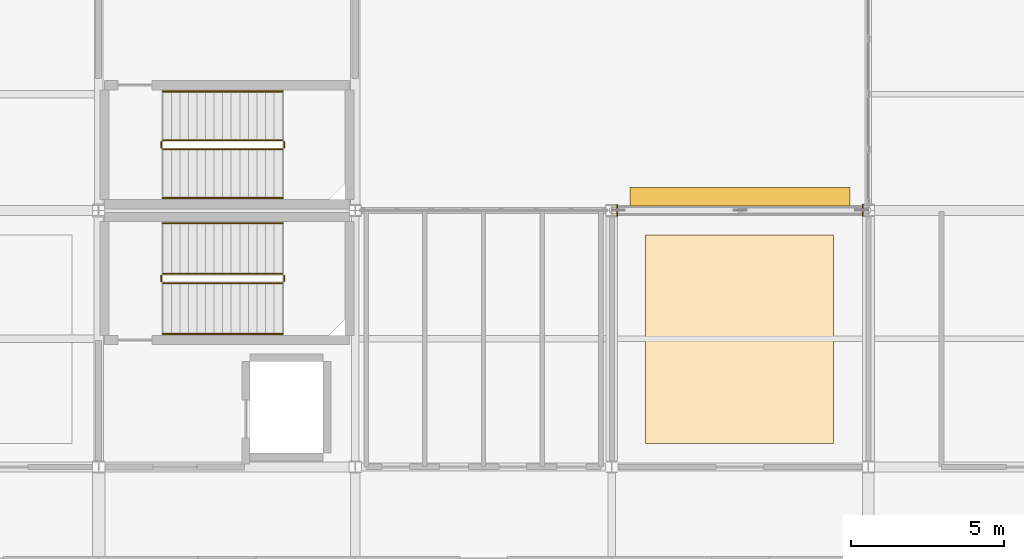
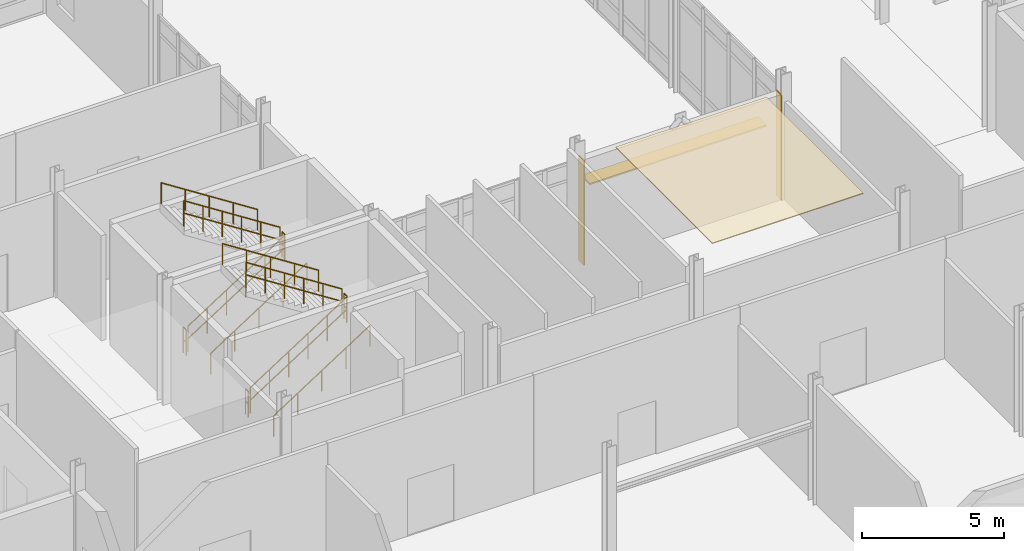
# One storey, part 208 of 229: 12 railings, 3 coverings, 1 shading device.
"""IFC4 building model written with IfcOpenShell, lengths in metres."""

from ifc_helpers import new_model, si_unit, direction, frame, origin, origin_2d, place, context, subcontext, project, spatial, polyline, rectangle, circle, outline, extrude, material, layer, layer_set, type_object, element, save


model = new_model("IFC4")

# Units and contexts
model_context = context("Model", 3, precision=1e-05, world=origin(), true_north=direction((0.0, 1.0)))
body_context = subcontext(model_context, "Body", "Model", "MODEL_VIEW")
ifc_project = project(units=[si_unit("LENGTHUNIT", "METRE"), si_unit("AREAUNIT", "SQUARE_METRE"), si_unit("VOLUMEUNIT", "CUBIC_METRE"), si_unit("PLANEANGLEUNIT", "RADIAN"), si_unit("MASSUNIT", "GRAM", prefix="KILO")], contexts=[model_context])

# Site, building, storey
site_placement = place(None, origin())
site = spatial("IfcSite", under=ifc_project, at=site_placement, CompositionType="ELEMENT")
building_placement = place(site_placement, origin())
building = spatial("IfcBuilding", under=site, at=building_placement, Name="Calvrana Isthmian Art Gallery", CompositionType="ELEMENT")
storey_placement = place(building_placement, origin())
storey = spatial("IfcBuildingStorey", under=building, at=storey_placement, Name="L00", CompositionType="ELEMENT", Elevation=0.0)

# Coverings
ifc_material_1 = material(Name="Acoustic gypsum ceiling", Category="gypsum")
ifc_layer_1 = layer(ifc_material_1, 0.0400390625, Name="Acoustic gypsum ceiling")
ifc_layer_set_1 = layer_set([ifc_layer_1], Name="Acoustic gypsum ceiling")
covering_type_1 = type_object("IfcCoveringType", Name="COV-CEIL-ACOUST", PredefinedType="CEILING", material=ifc_layer_set_1)
covering_1_placement = place(storey_placement, frame((0.0, 0.0, 5.1220703125)))
element("IfcCovering", 1, at=covering_1_placement, inside=storey, type_object=covering_type_1, Name="Gallery acoustic ceiling 02", PredefinedType="CEILING", context=body_context, shape_type="SweptSolid", body=[
    extrude(outline(polyline([(47.89990234375, 39.169921875), (54.050048828125, 39.169921875), (54.050048828125, 46.0), (47.89990234375, 46.0), (47.89990234375, 39.169921875)])), origin(), (0.0, 0.0, 1.0), 0.0400390625),
])
ifc_material_2 = material(Name="Polychrome glazed terracotta", Category="masonry")
ifc_layer_2 = layer(ifc_material_2, 0.0400390625, Name="Polychrome glazed terracotta")
ifc_layer_set_2 = layer_set([ifc_layer_2], Name="Polychrome glazed terracotta")
covering_type_2 = type_object("IfcCoveringType", Name="COV-CLAD-TERRA", PredefinedType="CLADDING", material=ifc_layer_set_2)
covering_2_placement = place(storey_placement, origin())
element("IfcCovering", 2, at=covering_2_placement, inside=storey, type_object=covering_type_2, Name="Column pocket weather closure L00-06-06-W", PredefinedType="CLADDING", context=body_context, shape_type="SweptSolid", body=[
    extrude(outline(polyline([(46.95947265625, 46.612060546875), (46.99951171875, 46.612060546875), (46.99951171875, 46.988037109375), (46.95947265625, 46.988037109375), (46.95947265625, 46.612060546875)])), origin(), (0.0, 0.0, 1.0), 4.528076171875),
])
covering_3_placement = place(storey_placement, origin())
element("IfcCovering", 3, at=covering_3_placement, inside=storey, type_object=covering_type_2, Name="Column pocket weather closure L00-06-06-E", PredefinedType="CLADDING", context=body_context, shape_type="SweptSolid", body=[
    extrude(outline(polyline([(54.998046875, 46.60205078125), (55.0380859375, 46.60205078125), (55.0380859375, 46.998046875), (54.998046875, 46.998046875), (54.998046875, 46.60205078125)])), origin(), (0.0, 0.0, 1.0), 4.528076171875),
])

# Railings
ifc_material_3 = material(Name="Stainless steel 316", Category="steel")
railing_type_1 = type_object("IfcRailingType", Name="RL-GUARD-1120", PredefinedType="BALUSTRADE", material=ifc_material_3)
railing_1_placement = place(storey_placement, frame((32.10009765625, 44.419921875, 0.179931640625)))
element("IfcRailing", 4, at=railing_1_placement, inside=storey, type_object=railing_type_1, Name="Stair ST-1 guard L00-1", PredefinedType="BALUSTRADE", context=body_context, shape_type="SweptSolid", body=[
    extrude(circle(Radius=0.02392578125, at=origin_2d()), frame((0.0, 0.0, 1.09619140625), z_axis=(0.841171666519, 0.0, 0.540768182723), x_axis=(0.0, 1.0, 0.0)), (0.0, 0.0, 1.0), 4.66015625),
    extrude(circle(Radius=0.02392578125, at=origin_2d()), frame((0.0, 0.0, 0.56005859375), z_axis=(0.841171666519, 0.0, 0.540768182723), x_axis=(0.0, 1.0, 0.0)), (0.0, 0.0, 1.0), 4.66015625),
    extrude(circle(Radius=0.02099609375, at=origin_2d()), origin(), (0.0, 0.0, 1.0), 1.072021484375),
    extrude(circle(Radius=0.02099609375, at=origin_2d()), frame((0.783935546875, 0.0, 0.50390625)), (0.0, 0.0, 1.0), 1.072021484375),
    extrude(circle(Radius=0.02099609375, at=origin_2d()), frame((1.56787109375, 0.0, 1.008056640625)), (0.0, 0.0, 1.0), 1.072021484375),
    extrude(circle(Radius=0.02099609375, at=origin_2d()), frame((2.35205078125, 0.0, 1.511962890625)), (0.0, 0.0, 1.0), 1.072021484375),
    extrude(circle(Radius=0.02099609375, at=origin_2d()), frame((3.135986328125, 0.0, 2.01611328125)), (0.0, 0.0, 1.0), 1.072021484375),
    extrude(circle(Radius=0.02099609375, at=origin_2d()), frame((3.919921875, 0.0, 2.52001953125)), (0.0, 0.0, 1.0), 1.072021484375),
])
railing_2_placement = place(storey_placement, frame((36.070068359375, 44.469970703125, 2.699951171875)))
element("IfcRailing", 5, at=railing_2_placement, inside=storey, type_object=railing_type_1, Name="Stair ST-1 guard L00-2", PredefinedType="BALUSTRADE", context=body_context, shape_type="SweptSolid", body=[
    extrude(circle(Radius=0.02392578125, at=origin_2d()), frame((0.0, 0.0, 1.09619140625), z_axis=(0.0, 1.0, 0.0), x_axis=(-1.0, 0.0, 0.0)), (0.0, 0.0, 1.0), 0.199951171875),
    extrude(circle(Radius=0.02392578125, at=origin_2d()), frame((0.0, 0.0, 0.56005859375), z_axis=(0.0, 1.0, 0.0), x_axis=(-1.0, 0.0, 0.0)), (0.0, 0.0, 1.0), 0.199951171875),
    extrude(circle(Radius=0.02099609375, at=origin_2d()), origin(), (0.0, 0.0, 1.0), 1.072021484375),
    extrude(circle(Radius=0.02099609375, at=origin_2d()), frame((0.0, 0.199951171875, 0.0)), (0.0, 0.0, 1.0), 1.072021484375),
])
railing_3_placement = place(storey_placement, frame((36.02001953125, 44.719970703125, 2.8798828125)))
element("IfcRailing", 6, at=railing_3_placement, inside=storey, type_object=railing_type_1, Name="Stair ST-1 guard L00-3", PredefinedType="BALUSTRADE", context=body_context, shape_type="SweptSolid", body=[
    extrude(circle(Radius=0.02392578125, at=origin_2d()), frame((0.0, 0.0, 1.09619140625), z_axis=(-0.841171666519, 0.0, 0.540768182723), x_axis=(0.0, -1.0, 0.0)), (0.0, 0.0, 1.0), 4.66015625),
    extrude(circle(Radius=0.02392578125, at=origin_2d()), frame((0.0, 0.0, 0.56005859375), z_axis=(-0.841171666519, 0.0, 0.540768182723), x_axis=(0.0, -1.0, 0.0)), (0.0, 0.0, 1.0), 4.66015625),
    extrude(circle(Radius=0.02099609375, at=origin_2d()), origin(), (0.0, 0.0, 1.0), 1.072021484375),
    extrude(circle(Radius=0.02099609375, at=origin_2d()), frame((-0.783935546875, 0.0, 0.50390625)), (0.0, 0.0, 1.0), 1.072021484375),
    extrude(circle(Radius=0.02099609375, at=origin_2d()), frame((-1.56787109375, 0.0, 1.008056640625)), (0.0, 0.0, 1.0), 1.072021484375),
    extrude(circle(Radius=0.02099609375, at=origin_2d()), frame((-2.35205078125, 0.0, 1.511962890625)), (0.0, 0.0, 1.0), 1.072021484375),
    extrude(circle(Radius=0.02099609375, at=origin_2d()), frame((-3.135986328125, 0.0, 2.01611328125)), (0.0, 0.0, 1.0), 1.072021484375),
    extrude(circle(Radius=0.02099609375, at=origin_2d()), frame((-3.919921875, 0.0, 2.52001953125)), (0.0, 0.0, 1.0), 1.072021484375),
])
railing_4_placement = place(storey_placement, frame((32.050048828125, 44.469970703125, 0.0)))
element("IfcRailing", 7, at=railing_4_placement, inside=storey, type_object=railing_type_1, Name="Stair ST-1 guard L00-4", PredefinedType="BALUSTRADE", context=body_context, shape_type="SweptSolid", body=[
    extrude(circle(Radius=0.02392578125, at=origin_2d()), frame((0.0, 0.0, 1.09619140625), z_axis=(0.0, 1.0, 0.0), x_axis=(-1.0, 0.0, 0.0)), (0.0, 0.0, 1.0), 0.199951171875),
    extrude(circle(Radius=0.02392578125, at=origin_2d()), frame((0.0, 0.0, 0.56005859375), z_axis=(0.0, 1.0, 0.0), x_axis=(-1.0, 0.0, 0.0)), (0.0, 0.0, 1.0), 0.199951171875),
    extrude(circle(Radius=0.02099609375, at=origin_2d()), origin(), (0.0, 0.0, 1.0), 1.072021484375),
    extrude(circle(Radius=0.02099609375, at=origin_2d()), frame((0.0, 0.199951171875, 0.0)), (0.0, 0.0, 1.0), 1.072021484375),
])
railing_5_placement = place(storey_placement, frame((32.10009765625, 48.800048828125, 0.179931640625)))
element("IfcRailing", 8, at=railing_5_placement, inside=storey, type_object=railing_type_1, Name="Stair ST-7 guard L00-1", PredefinedType="BALUSTRADE", context=body_context, shape_type="SweptSolid", body=[
    extrude(circle(Radius=0.02392578125, at=origin_2d()), frame((0.0, 0.0, 1.09619140625), z_axis=(0.841171666519, 0.0, 0.540768182723), x_axis=(0.0, 1.0, 0.0)), (0.0, 0.0, 1.0), 4.66015625),
    extrude(circle(Radius=0.02392578125, at=origin_2d()), frame((0.0, 0.0, 0.56005859375), z_axis=(0.841171666519, 0.0, 0.540768182723), x_axis=(0.0, 1.0, 0.0)), (0.0, 0.0, 1.0), 4.66015625),
    extrude(circle(Radius=0.02099609375, at=origin_2d()), origin(), (0.0, 0.0, 1.0), 1.072021484375),
    extrude(circle(Radius=0.02099609375, at=origin_2d()), frame((0.783935546875, 0.0, 0.50390625)), (0.0, 0.0, 1.0), 1.072021484375),
    extrude(circle(Radius=0.02099609375, at=origin_2d()), frame((1.56787109375, 0.0, 1.008056640625)), (0.0, 0.0, 1.0), 1.072021484375),
    extrude(circle(Radius=0.02099609375, at=origin_2d()), frame((2.35205078125, 0.0, 1.511962890625)), (0.0, 0.0, 1.0), 1.072021484375),
    extrude(circle(Radius=0.02099609375, at=origin_2d()), frame((3.135986328125, 0.0, 2.01611328125)), (0.0, 0.0, 1.0), 1.072021484375),
    extrude(circle(Radius=0.02099609375, at=origin_2d()), frame((3.919921875, 0.0, 2.52001953125)), (0.0, 0.0, 1.0), 1.072021484375),
])
railing_6_placement = place(storey_placement, frame((36.070068359375, 48.85009765625, 2.699951171875)))
element("IfcRailing", 9, at=railing_6_placement, inside=storey, type_object=railing_type_1, Name="Stair ST-7 guard L00-2", PredefinedType="BALUSTRADE", context=body_context, shape_type="SweptSolid", body=[
    extrude(circle(Radius=0.02392578125, at=origin_2d()), frame((0.0, 0.0, 1.09619140625), z_axis=(0.0, 1.0, 0.0), x_axis=(-1.0, 0.0, 0.0)), (0.0, 0.0, 1.0), 0.199951171875),
    extrude(circle(Radius=0.02392578125, at=origin_2d()), frame((0.0, 0.0, 0.56005859375), z_axis=(0.0, 1.0, 0.0), x_axis=(-1.0, 0.0, 0.0)), (0.0, 0.0, 1.0), 0.199951171875),
    extrude(circle(Radius=0.02099609375, at=origin_2d()), origin(), (0.0, 0.0, 1.0), 1.072021484375),
    extrude(circle(Radius=0.02099609375, at=origin_2d()), frame((0.0, 0.199951171875, 0.0)), (0.0, 0.0, 1.0), 1.072021484375),
])
railing_7_placement = place(storey_placement, frame((36.02001953125, 49.10009765625, 2.8798828125)))
element("IfcRailing", 10, at=railing_7_placement, inside=storey, type_object=railing_type_1, Name="Stair ST-7 guard L00-3", PredefinedType="BALUSTRADE", context=body_context, shape_type="SweptSolid", body=[
    extrude(circle(Radius=0.02392578125, at=origin_2d()), frame((0.0, 0.0, 1.09619140625), z_axis=(-0.841171666519, 0.0, 0.540768182723), x_axis=(0.0, -1.0, 0.0)), (0.0, 0.0, 1.0), 4.66015625),
    extrude(circle(Radius=0.02392578125, at=origin_2d()), frame((0.0, 0.0, 0.56005859375), z_axis=(-0.841171666519, 0.0, 0.540768182723), x_axis=(0.0, -1.0, 0.0)), (0.0, 0.0, 1.0), 4.66015625),
    extrude(circle(Radius=0.02099609375, at=origin_2d()), origin(), (0.0, 0.0, 1.0), 1.072021484375),
    extrude(circle(Radius=0.02099609375, at=origin_2d()), frame((-0.783935546875, 0.0, 0.50390625)), (0.0, 0.0, 1.0), 1.072021484375),
    extrude(circle(Radius=0.02099609375, at=origin_2d()), frame((-1.56787109375, 0.0, 1.008056640625)), (0.0, 0.0, 1.0), 1.072021484375),
    extrude(circle(Radius=0.02099609375, at=origin_2d()), frame((-2.35205078125, 0.0, 1.511962890625)), (0.0, 0.0, 1.0), 1.072021484375),
    extrude(circle(Radius=0.02099609375, at=origin_2d()), frame((-3.135986328125, 0.0, 2.01611328125)), (0.0, 0.0, 1.0), 1.072021484375),
    extrude(circle(Radius=0.02099609375, at=origin_2d()), frame((-3.919921875, 0.0, 2.52001953125)), (0.0, 0.0, 1.0), 1.072021484375),
])
railing_8_placement = place(storey_placement, frame((32.050048828125, 48.85009765625, 0.0)))
element("IfcRailing", 11, at=railing_8_placement, inside=storey, type_object=railing_type_1, Name="Stair ST-7 guard L00-4", PredefinedType="BALUSTRADE", context=body_context, shape_type="SweptSolid", body=[
    extrude(circle(Radius=0.02392578125, at=origin_2d()), frame((0.0, 0.0, 1.09619140625), z_axis=(0.0, 1.0, 0.0), x_axis=(-1.0, 0.0, 0.0)), (0.0, 0.0, 1.0), 0.199951171875),
    extrude(circle(Radius=0.02392578125, at=origin_2d()), frame((0.0, 0.0, 0.56005859375), z_axis=(0.0, 1.0, 0.0), x_axis=(-1.0, 0.0, 0.0)), (0.0, 0.0, 1.0), 0.199951171875),
    extrude(circle(Radius=0.02099609375, at=origin_2d()), origin(), (0.0, 0.0, 1.0), 1.072021484375),
    extrude(circle(Radius=0.02099609375, at=origin_2d()), frame((0.0, 0.199951171875, 0.0)), (0.0, 0.0, 1.0), 1.072021484375),
])
railing_type_2 = type_object("IfcRailingType", Name="RL-HAND-920", PredefinedType="HANDRAIL", material=ifc_material_3)
railing_9_placement = place(storey_placement, frame((32.10009765625, 42.760009765625, 0.179931640625)))
element("IfcRailing", 12, at=railing_9_placement, inside=storey, type_object=railing_type_2, Name="Stair ST-1 handrail L00-1", PredefinedType="HANDRAIL", context=body_context, shape_type="SweptSolid", body=[
    extrude(circle(Radius=0.02392578125, at=origin_2d()), frame((0.0, 0.0, 0.89599609375), z_axis=(0.841171666519, 0.0, 0.540768182723), x_axis=(0.0, 1.0, 0.0)), (0.0, 0.0, 1.0), 4.66015625),
    extrude(circle(Radius=0.02099609375, at=origin_2d()), origin(), (0.0, 0.0, 1.0), 0.871826171875),
    extrude(circle(Radius=0.02099609375, at=origin_2d()), frame((0.97998046875, 0.0, 0.6298828125)), (0.0, 0.0, 1.0), 0.871826171875),
    extrude(circle(Radius=0.02099609375, at=origin_2d()), frame((1.9599609375, 0.0, 1.260009765625)), (0.0, 0.0, 1.0), 0.871826171875),
    extrude(circle(Radius=0.02099609375, at=origin_2d()), frame((2.93994140625, 0.0, 1.89013671875)), (0.0, 0.0, 1.0), 0.871826171875),
    extrude(circle(Radius=0.02099609375, at=origin_2d()), frame((3.919921875, 0.0, 2.52001953125)), (0.0, 0.0, 1.0), 0.871826171875),
])
railing_10_placement = place(storey_placement, frame((36.02001953125, 46.3798828125, 2.8798828125)))
element("IfcRailing", 13, at=railing_10_placement, inside=storey, type_object=railing_type_2, Name="Stair ST-1 handrail L00-2", PredefinedType="HANDRAIL", context=body_context, shape_type="SweptSolid", body=[
    extrude(circle(Radius=0.02392578125, at=origin_2d()), frame((0.0, 0.0, 0.89599609375), z_axis=(-0.841171666519, 0.0, 0.540768182723), x_axis=(0.0, -1.0, 0.0)), (0.0, 0.0, 1.0), 4.66015625),
    extrude(circle(Radius=0.02099609375, at=origin_2d()), origin(), (0.0, 0.0, 1.0), 0.871826171875),
    extrude(circle(Radius=0.02099609375, at=origin_2d()), frame((-0.97998046875, 0.0, 0.6298828125)), (0.0, 0.0, 1.0), 0.871826171875),
    extrude(circle(Radius=0.02099609375, at=origin_2d()), frame((-1.9599609375, 0.0, 1.260009765625)), (0.0, 0.0, 1.0), 0.871826171875),
    extrude(circle(Radius=0.02099609375, at=origin_2d()), frame((-2.93994140625, 0.0, 1.89013671875)), (0.0, 0.0, 1.0), 0.871826171875),
    extrude(circle(Radius=0.02099609375, at=origin_2d()), frame((-3.919921875, 0.0, 2.52001953125)), (0.0, 0.0, 1.0), 0.871826171875),
])
railing_11_placement = place(storey_placement, frame((32.10009765625, 47.199951171875, 0.179931640625)))
element("IfcRailing", 14, at=railing_11_placement, inside=storey, type_object=railing_type_2, Name="Stair ST-7 handrail L00-1", PredefinedType="HANDRAIL", context=body_context, shape_type="SweptSolid", body=[
    extrude(circle(Radius=0.02392578125, at=origin_2d()), frame((0.0, 0.0, 0.89599609375), z_axis=(0.841171666519, 0.0, 0.540768182723), x_axis=(0.0, 1.0, 0.0)), (0.0, 0.0, 1.0), 4.66015625),
    extrude(circle(Radius=0.02099609375, at=origin_2d()), origin(), (0.0, 0.0, 1.0), 0.871826171875),
    extrude(circle(Radius=0.02099609375, at=origin_2d()), frame((0.97998046875, 0.0, 0.6298828125)), (0.0, 0.0, 1.0), 0.871826171875),
    extrude(circle(Radius=0.02099609375, at=origin_2d()), frame((1.9599609375, 0.0, 1.260009765625)), (0.0, 0.0, 1.0), 0.871826171875),
    extrude(circle(Radius=0.02099609375, at=origin_2d()), frame((2.93994140625, 0.0, 1.89013671875)), (0.0, 0.0, 1.0), 0.871826171875),
    extrude(circle(Radius=0.02099609375, at=origin_2d()), frame((3.919921875, 0.0, 2.52001953125)), (0.0, 0.0, 1.0), 0.871826171875),
])
railing_12_placement = place(storey_placement, frame((36.02001953125, 50.699951171875, 2.8798828125)))
element("IfcRailing", 15, at=railing_12_placement, inside=storey, type_object=railing_type_2, Name="Stair ST-7 handrail L00-2", PredefinedType="HANDRAIL", context=body_context, shape_type="SweptSolid", body=[
    extrude(circle(Radius=0.02392578125, at=origin_2d()), frame((0.0, 0.0, 0.89599609375), z_axis=(-0.841171666519, 0.0, 0.540768182723), x_axis=(0.0, -1.0, 0.0)), (0.0, 0.0, 1.0), 4.66015625),
    extrude(circle(Radius=0.02099609375, at=origin_2d()), origin(), (0.0, 0.0, 1.0), 0.871826171875),
    extrude(circle(Radius=0.02099609375, at=origin_2d()), frame((-0.97998046875, 0.0, 0.6298828125)), (0.0, 0.0, 1.0), 0.871826171875),
    extrude(circle(Radius=0.02099609375, at=origin_2d()), frame((-1.9599609375, 0.0, 1.260009765625)), (0.0, 0.0, 1.0), 0.871826171875),
    extrude(circle(Radius=0.02099609375, at=origin_2d()), frame((-2.93994140625, 0.0, 1.89013671875)), (0.0, 0.0, 1.0), 0.871826171875),
    extrude(circle(Radius=0.02099609375, at=origin_2d()), frame((-3.919921875, 0.0, 2.52001953125)), (0.0, 0.0, 1.0), 0.871826171875),
])

# Shading device
ifc_material_4 = material(Name="Anodized bronze aluminium 6063-T6", Category="aluminium")
ifc_layer_3 = layer(ifc_material_4, 0.06005859375, Name="Anodized bronze aluminium 6063-T6")
ifc_layer_set_3 = layer_set([ifc_layer_3], Name="Anodized bronze aluminium 6063-T6")
shading_device_type = type_object("IfcShadingDeviceType", Name="SHD-LOUVRE-600", PredefinedType="JALOUSIE", material=ifc_layer_set_3)
shading_device_placement = place(storey_placement, frame((50.998779296875, 47.248046875, 3.119873046875), z_axis=(0.0, 0.0, 1.0), x_axis=(1.0, 0.0, 0.0)))
element("IfcShadingDevice", 16, at=shading_device_placement, inside=storey, type_object=shading_device_type, Name="Anodized bronze horizontal canopy sunshade LV-02", PredefinedType="JALOUSIE", context=body_context, shape_type="SweptSolid", body=[
    extrude(rectangle(XDim=7.198486328125, YDim=0.60009765625, at=origin_2d()), origin(), (0.0, 0.0, 1.0), 0.06005859375),
])

save(model, "model.ifc")
